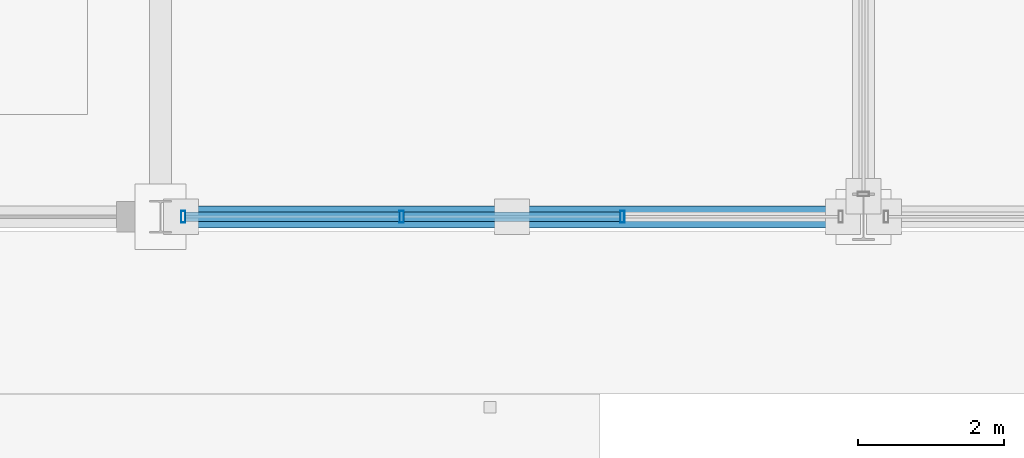
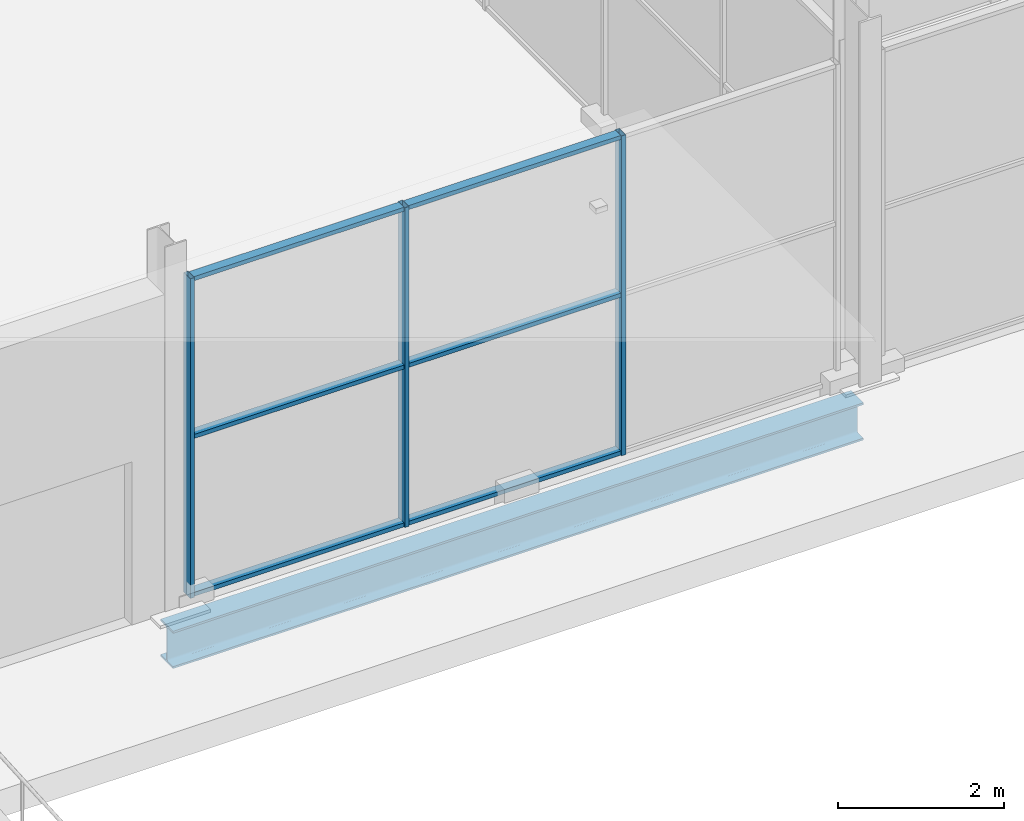
# One storey, part 39 of 196: 9 members, 1 beam, 1 element without a shape of its own.
"""IFC4 building model written with IfcOpenShell, lengths in metres."""

from ifc_helpers import new_model, si_unit, direction, frame, origin, origin_2d, place, context, subcontext, project, spatial, hollow_rectangle, i_section, extrude, material, material_profile, profile_set, type_object, element, aggregate, save


model = new_model("IFC4")

# Units and contexts
model_context = context("Model", 3, precision=1e-05, world=origin(), true_north=direction((0.0, 1.0)))
body_context = subcontext(model_context, "Body", "Model", "MODEL_VIEW")
ifc_project = project(units=[si_unit("LENGTHUNIT", "METRE"), si_unit("AREAUNIT", "SQUARE_METRE"), si_unit("VOLUMEUNIT", "CUBIC_METRE"), si_unit("PLANEANGLEUNIT", "RADIAN"), si_unit("MASSUNIT", "GRAM", prefix="KILO")], contexts=[model_context])

# Site, building, storey
site_placement = place(None, origin())
site = spatial("IfcSite", under=ifc_project, at=site_placement, CompositionType="ELEMENT")
building_placement = place(site_placement, origin())
building = spatial("IfcBuilding", under=site, at=building_placement, Name="Merenkruunu Market Hall", CompositionType="ELEMENT")
storey_placement = place(building_placement, origin())
storey = spatial("IfcBuildingStorey", under=building, at=storey_placement, Name="L00", CompositionType="ELEMENT", Elevation=0.0)

# Curtain wall, members
ifc_material_1 = material(Name="Powder-coated aluminium", Category="aluminium")
curtain_wall_type = type_object("IfcCurtainWallType", Name="Glazed Curtain Wall CW01", PredefinedType="USERDEFINED", material=ifc_material_1)
curtain_wall_placement = place(storey_placement, origin())
curtain_wall = element("IfcCurtainWall", 1, at=curtain_wall_placement, inside=storey, type_object=curtain_wall_type, Name="CW-L00-CWM01-034", ObjectType="GLAZED_FACADE", PredefinedType="USERDEFINED")
ifc_material_profile_1 = material_profile(ifc_material_1, hollow_rectangle(XDim=0.06005859375, YDim=0.159912109375, WallThickness=0.00390625, at=origin_2d()), Name="ALU 60x160x4")
ifc_profile_set_1 = profile_set([ifc_material_profile_1], Name="Powder-coated aluminium")
member_type_1 = type_object("IfcMemberType", Name="Curtain Wall Mullion CWM01", PredefinedType="MULLION", material=ifc_profile_set_1)
member_1_placement = place(storey_placement, frame((54.306640625, 15.60009765625, 0.0), z_axis=(0.0, 0.0, 1.0), x_axis=(-1.0, 0.0, 0.0)))
member_1 = element("IfcMember", 2, at=member_1_placement, type_object=member_type_1, Name="CW01 mullion 2", PredefinedType="MULLION", context=body_context, shape_type="SweptSolid", body=[
    extrude(hollow_rectangle(XDim=0.06005859375, YDim=0.159912109375, WallThickness=0.00390625, at=origin_2d()), origin(), (0.0, 0.0, 1.0), 4.699951171875),
])
member_2_placement = place(storey_placement, frame((51.293212890625, 15.60009765625, 0.0), z_axis=(0.0, 0.0, 1.0), x_axis=(-1.0, 0.0, 0.0)))
member_2 = element("IfcMember", 3, at=member_2_placement, type_object=member_type_1, Name="CW01 mullion 3", PredefinedType="MULLION", context=body_context, shape_type="SweptSolid", body=[
    extrude(hollow_rectangle(XDim=0.06005859375, YDim=0.159912109375, WallThickness=0.00390625, at=origin_2d()), origin(), (0.0, 0.0, 1.0), 4.699951171875),
])
member_3_placement = place(storey_placement, frame((48.31005859375, 15.60009765625, 0.0), z_axis=(0.0, 0.0, 1.0), x_axis=(-1.0, 0.0, 0.0)))
member_3 = element("IfcMember", 4, at=member_3_placement, type_object=member_type_1, Name="CW01 mullion 4", PredefinedType="MULLION", context=body_context, shape_type="SweptSolid", body=[
    extrude(hollow_rectangle(XDim=0.06005859375, YDim=0.159912109375, WallThickness=0.00390625, at=origin_2d()), origin(), (0.0, 0.0, 1.0), 4.699951171875),
])
ifc_material_profile_2 = material_profile(ifc_material_1, hollow_rectangle(XDim=0.06005859375, YDim=0.125, WallThickness=0.00390625, at=origin_2d()), Name="ALU 60x125x4")
ifc_profile_set_2 = profile_set([ifc_material_profile_2], Name="Powder-coated aluminium")
member_type_2 = type_object("IfcMemberType", Name="Curtain Wall Transom CWT01", PredefinedType="USERDEFINED", material=ifc_profile_set_2)
member_4_placement = place(storey_placement, frame((54.276611328125, 15.60009765625, 0.030029296875), z_axis=(-1.0, 0.0, 0.0), x_axis=(0.0, 0.0, 1.0)))
member_4 = element("IfcMember", 5, at=member_4_placement, type_object=member_type_2, Name="CW01 transom 2.1", ObjectType="TRANSOM", PredefinedType="USERDEFINED", context=body_context, shape_type="SweptSolid", body=[
    extrude(hollow_rectangle(XDim=0.06005859375, YDim=0.125, WallThickness=0.00390625, at=origin_2d()), origin(), (0.0, 0.0, 1.0), 2.953369140625),
])
member_5_placement = place(storey_placement, frame((54.276611328125, 15.60009765625, 2.35009765625), z_axis=(-1.0, 0.0, 0.0), x_axis=(0.0, 0.0, 1.0)))
member_5 = element("IfcMember", 6, at=member_5_placement, type_object=member_type_2, Name="CW01 transom 2.2", ObjectType="TRANSOM", PredefinedType="USERDEFINED", context=body_context, shape_type="SweptSolid", body=[
    extrude(hollow_rectangle(XDim=0.06005859375, YDim=0.125, WallThickness=0.00390625, at=origin_2d()), origin(), (0.0, 0.0, 1.0), 2.953369140625),
])
member_6_placement = place(storey_placement, frame((54.276611328125, 15.60009765625, 4.669921875), z_axis=(-1.0, 0.0, 0.0), x_axis=(0.0, 0.0, 1.0)))
member_6 = element("IfcMember", 7, at=member_6_placement, type_object=member_type_2, Name="CW01 transom 2.3", ObjectType="TRANSOM", PredefinedType="USERDEFINED", context=body_context, shape_type="SweptSolid", body=[
    extrude(hollow_rectangle(XDim=0.06005859375, YDim=0.125, WallThickness=0.00390625, at=origin_2d()), origin(), (0.0, 0.0, 1.0), 2.953369140625),
])
member_7_placement = place(storey_placement, frame((51.263427734375, 15.60009765625, 0.030029296875), z_axis=(-1.0, 0.0, 0.0), x_axis=(0.0, 0.0, 1.0)))
member_7 = element("IfcMember", 8, at=member_7_placement, type_object=member_type_2, Name="CW01 transom 3.1", ObjectType="TRANSOM", PredefinedType="USERDEFINED", context=body_context, shape_type="SweptSolid", body=[
    extrude(hollow_rectangle(XDim=0.06005859375, YDim=0.125, WallThickness=0.00390625, at=origin_2d()), origin(), (0.0, 0.0, 1.0), 2.92333984375),
])
member_8_placement = place(storey_placement, frame((51.263427734375, 15.60009765625, 2.35009765625), z_axis=(-1.0, 0.0, 0.0), x_axis=(0.0, 0.0, 1.0)))
member_8 = element("IfcMember", 9, at=member_8_placement, type_object=member_type_2, Name="CW01 transom 3.2", ObjectType="TRANSOM", PredefinedType="USERDEFINED", context=body_context, shape_type="SweptSolid", body=[
    extrude(hollow_rectangle(XDim=0.06005859375, YDim=0.125, WallThickness=0.00390625, at=origin_2d()), origin(), (0.0, 0.0, 1.0), 2.92333984375),
])
member_9_placement = place(storey_placement, frame((51.263427734375, 15.60009765625, 4.669921875), z_axis=(-1.0, 0.0, 0.0), x_axis=(0.0, 0.0, 1.0)))
member_9 = element("IfcMember", 10, at=member_9_placement, type_object=member_type_2, Name="CW01 transom 3.3", ObjectType="TRANSOM", PredefinedType="USERDEFINED", context=body_context, shape_type="SweptSolid", body=[
    extrude(hollow_rectangle(XDim=0.06005859375, YDim=0.125, WallThickness=0.00390625, at=origin_2d()), origin(), (0.0, 0.0, 1.0), 2.92333984375),
])
aggregate(curtain_wall, [member_1, member_2, member_3, member_4, member_5, member_6, member_7, member_8, member_9])

# Beam
ifc_material_2 = material(Name="Steel S355J2", Category="steel")
ifc_material_profile_3 = material_profile(ifc_material_2, i_section(OverallWidth=0.300048828125, OverallDepth=0.550048828125, WebThickness=0.014892578125, FlangeThickness=0.029052734375, FilletRadius=0.027099609375, at=origin_2d()), Name="HEB 550")
ifc_profile_set_3 = profile_set([ifc_material_profile_3], Name="Steel S355J2")
beam_type = type_object("IfcBeamType", Name="Primary Floor Girder B02", PredefinedType="BEAM", material=ifc_profile_set_3)
beam_placement = place(storey_placement, frame((48.0, 15.60009765625, -0.614990234375), z_axis=(1.0, 0.0, 0.0), x_axis=(0.0, 1.0, 0.0)))
element("IfcBeam", 11, at=beam_placement, inside=storey, type_object=beam_type, Name="BM-L00-B02-0014", PredefinedType="BEAM", context=body_context, shape_type="SweptSolid", body=[
    extrude(i_section(OverallWidth=0.300048828125, OverallDepth=0.550048828125, WebThickness=0.014892578125, FlangeThickness=0.029052734375, FilletRadius=0.027099609375, at=origin_2d()), origin(), (0.0, 0.0, 1.0), 9.60009765625),
])

save(model, "model.ifc")
